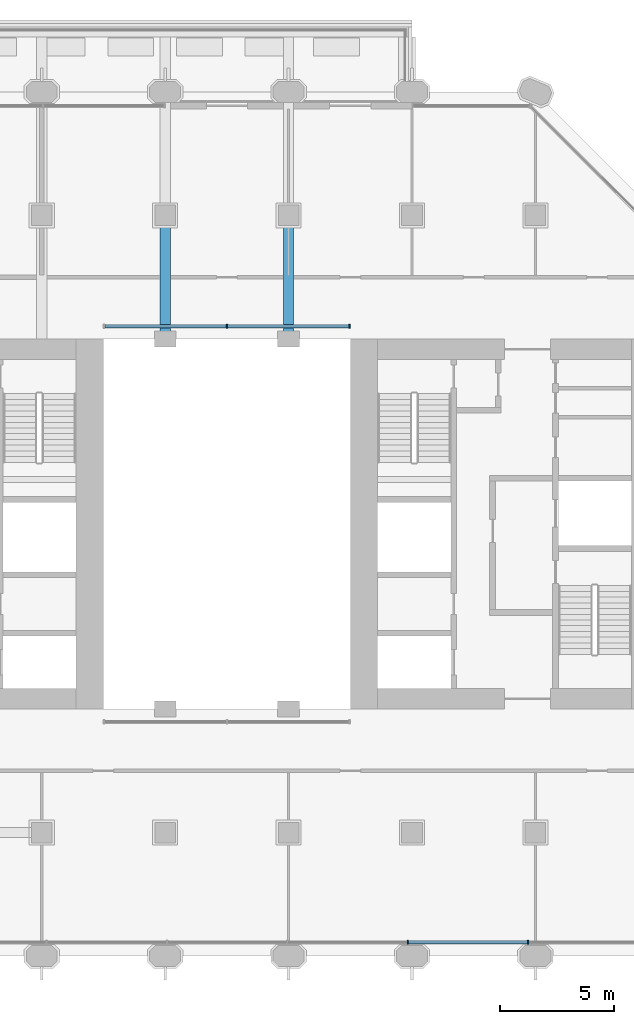
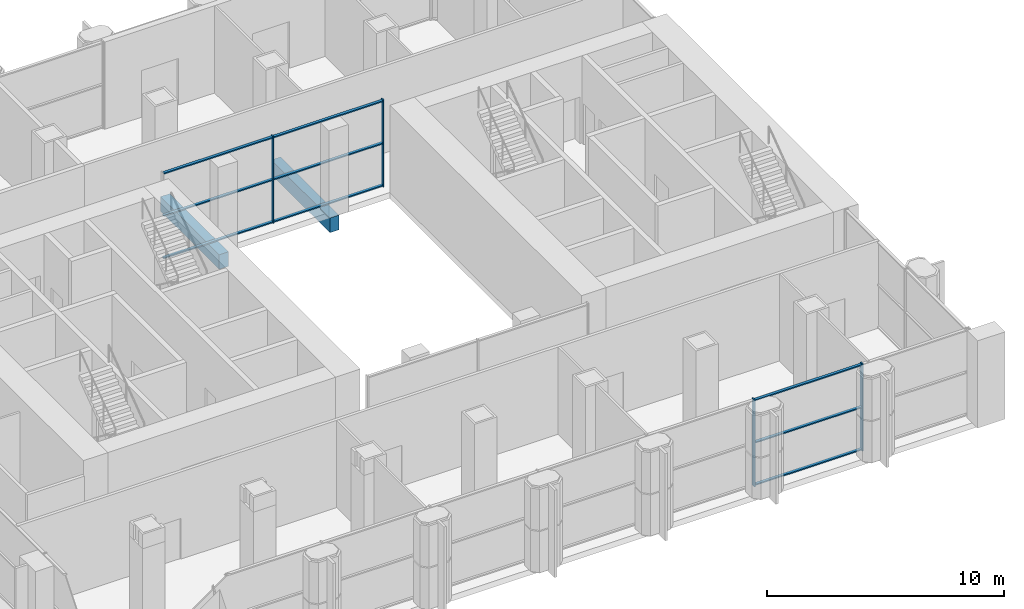
# One storey, part 5 of 15: 13 members, 2 beams, 2 elements without a shape of their own.
"""IFC4 building model written with IfcOpenShell, lengths in metres."""

from ifc_helpers import new_model, si_unit, direction, frame, origin, origin_2d, place, context, subcontext, project, spatial, rectangle, extrude, material, material_profile, profile_set, type_object, element, aggregate, save


model = new_model("IFC4")

# Units and contexts
model_context = context("Model", 3, precision=1e-05, world=origin(), true_north=direction((0.0, 1.0)))
body_context = subcontext(model_context, "Body", "Model", "MODEL_VIEW")
ifc_project = project(units=[si_unit("LENGTHUNIT", "METRE"), si_unit("AREAUNIT", "SQUARE_METRE"), si_unit("VOLUMEUNIT", "CUBIC_METRE"), si_unit("PLANEANGLEUNIT", "RADIAN"), si_unit("MASSUNIT", "GRAM", prefix="KILO")], contexts=[model_context])

# Site, building, storey
site_placement = place(None, origin())
site = spatial("IfcSite", under=ifc_project, at=site_placement, CompositionType="ELEMENT")
building_placement = place(site_placement, origin())
building = spatial("IfcBuilding", under=site, at=building_placement, Name="Tabaq Tower and Sports Hall", CompositionType="ELEMENT")
storey_placement = place(building_placement, frame((0.0, 0.0, 138.39990234375)))
storey = spatial("IfcBuildingStorey", under=building, at=storey_placement, Name="L32", CompositionType="ELEMENT", Elevation=138.39990234375)

# Curtain wall, members
ifc_material_1 = material(Name="Aluminium alloy 6063-T6 framed glazing", Category="aluminium")
curtain_wall_type_1 = type_object("IfcCurtainWallType", Name="CW1 curtain wall", PredefinedType="USERDEFINED", material=ifc_material_1)
curtain_wall_1_placement = place(storey_placement, origin())
curtain_wall_1 = element("IfcCurtainWall", 1, at=curtain_wall_1_placement, inside=storey, type_object=curtain_wall_type_1, Name="Atrium glazing L32 N", ObjectType="ATRIUM ENCLOSURE", PredefinedType="USERDEFINED")
ifc_material_2 = material(Name="Aluminium alloy 6063-T6", Category="aluminium")
ifc_material_profile_1 = material_profile(ifc_material_2, rectangle(XDim=0.159912109375, YDim=0.06005859375, at=origin_2d()), Name="MULLION 160x60")
ifc_profile_set_1 = profile_set([ifc_material_profile_1], Name="Aluminium alloy 6063-T6")
member_type_1 = type_object("IfcMemberType", Name="CW1 mullion 160x60", PredefinedType="MULLION", material=ifc_profile_set_1)
member_1_placement = place(storey_placement, frame((24.300048828125, 32.949951171875, 0.0), z_axis=(0.0, 0.0, 1.0), x_axis=(0.0, 1.0, 0.0)))
member_1 = element("IfcMember", 2, at=member_1_placement, type_object=member_type_1, Name="CW1 mullion 2", PredefinedType="MULLION", context=body_context, shape_type="SweptSolid", body=[
    extrude(rectangle(XDim=0.159912109375, YDim=0.06005859375, at=origin_2d()), origin(), (0.0, 0.0, 1.0), 4.5),
])
member_2_placement = place(storey_placement, frame((29.669921875, 32.949951171875, 0.0), z_axis=(0.0, 0.0, 1.0), x_axis=(0.0, 1.0, 0.0)))
member_2 = element("IfcMember", 3, at=member_2_placement, type_object=member_type_1, Name="CW1 mullion 3", PredefinedType="MULLION", context=body_context, shape_type="SweptSolid", body=[
    extrude(rectangle(XDim=0.159912109375, YDim=0.06005859375, at=origin_2d()), origin(), (0.0, 0.0, 1.0), 4.5),
])
ifc_material_3 = material(Name="Aluminium alloy 6063-T6", Category="aluminium")
ifc_material_profile_2 = material_profile(ifc_material_3, rectangle(XDim=0.139892578125, YDim=0.06005859375, at=origin_2d()), Name="TRANSOM 140x60")
ifc_profile_set_2 = profile_set([ifc_material_profile_2], Name="Aluminium alloy 6063-T6")
member_type_2 = type_object("IfcMemberType", Name="CW1 transom 140x60", PredefinedType="USERDEFINED", material=ifc_profile_set_2)
member_3_placement = place(storey_placement, frame((18.9599609375, 32.949951171875, 0.070068359375), z_axis=(1.0, 0.0, 0.0), x_axis=(0.0, 1.0, 0.0)))
member_3 = element("IfcMember", 4, at=member_3_placement, type_object=member_type_2, Name="CW1 transom 1.1", ObjectType="TRANSOM", PredefinedType="USERDEFINED", context=body_context, shape_type="SweptSolid", body=[
    extrude(rectangle(XDim=0.139892578125, YDim=0.06005859375, at=origin_2d()), origin(), (0.0, 0.0, 1.0), 5.31005859375),
])
member_4_placement = place(storey_placement, frame((18.9599609375, 32.949951171875, 2.25), z_axis=(1.0, 0.0, 0.0), x_axis=(0.0, 1.0, 0.0)))
member_4 = element("IfcMember", 5, at=member_4_placement, type_object=member_type_2, Name="CW1 transom 1.2", ObjectType="TRANSOM", PredefinedType="USERDEFINED", context=body_context, shape_type="SweptSolid", body=[
    extrude(rectangle(XDim=0.139892578125, YDim=0.06005859375, at=origin_2d()), origin(), (0.0, 0.0, 1.0), 5.31005859375),
])
member_5_placement = place(storey_placement, frame((18.9599609375, 32.949951171875, 4.43017578125), z_axis=(1.0, 0.0, 0.0), x_axis=(0.0, 1.0, 0.0)))
member_5 = element("IfcMember", 6, at=member_5_placement, type_object=member_type_2, Name="CW1 transom 1.3", ObjectType="TRANSOM", PredefinedType="USERDEFINED", context=body_context, shape_type="SweptSolid", body=[
    extrude(rectangle(XDim=0.139892578125, YDim=0.06005859375, at=origin_2d()), origin(), (0.0, 0.0, 1.0), 5.31005859375),
])
member_6_placement = place(storey_placement, frame((24.330078125, 32.949951171875, 0.070068359375), z_axis=(1.0, 0.0, 0.0), x_axis=(0.0, 1.0, 0.0)))
member_6 = element("IfcMember", 7, at=member_6_placement, type_object=member_type_2, Name="CW1 transom 2.1", ObjectType="TRANSOM", PredefinedType="USERDEFINED", context=body_context, shape_type="SweptSolid", body=[
    extrude(rectangle(XDim=0.139892578125, YDim=0.06005859375, at=origin_2d()), origin(), (0.0, 0.0, 1.0), 5.309814453125),
])
member_7_placement = place(storey_placement, frame((24.330078125, 32.949951171875, 2.25), z_axis=(1.0, 0.0, 0.0), x_axis=(0.0, 1.0, 0.0)))
member_7 = element("IfcMember", 8, at=member_7_placement, type_object=member_type_2, Name="CW1 transom 2.2", ObjectType="TRANSOM", PredefinedType="USERDEFINED", context=body_context, shape_type="SweptSolid", body=[
    extrude(rectangle(XDim=0.139892578125, YDim=0.06005859375, at=origin_2d()), origin(), (0.0, 0.0, 1.0), 5.309814453125),
])
member_8_placement = place(storey_placement, frame((24.330078125, 32.949951171875, 4.43017578125), z_axis=(1.0, 0.0, 0.0), x_axis=(0.0, 1.0, 0.0)))
member_8 = element("IfcMember", 9, at=member_8_placement, type_object=member_type_2, Name="CW1 transom 2.3", ObjectType="TRANSOM", PredefinedType="USERDEFINED", context=body_context, shape_type="SweptSolid", body=[
    extrude(rectangle(XDim=0.139892578125, YDim=0.06005859375, at=origin_2d()), origin(), (0.0, 0.0, 1.0), 5.309814453125),
])
aggregate(curtain_wall_1, [member_1, member_2, member_3, member_4, member_5, member_6, member_7, member_8])

ifc_material_4 = material(Name="Aluminium alloy 6063-T6 framed glazing", Category="aluminium")
curtain_wall_type_2 = type_object("IfcCurtainWallType", Name="CW3 curtain wall", PredefinedType="USERDEFINED", material=ifc_material_4)
curtain_wall_2_placement = place(storey_placement, origin())
curtain_wall_2 = element("IfcCurtainWall", 10, at=curtain_wall_2_placement, inside=storey, type_object=curtain_wall_type_2, Name="Garden Floor Wall L32 S", ObjectType="GARDEN FLOOR WALL", PredefinedType="USERDEFINED")
ifc_material_5 = material(Name="Aluminium alloy 6063-T6", Category="aluminium")
ifc_material_profile_3 = material_profile(ifc_material_5, rectangle(XDim=0.179931640625, YDim=0.06005859375, at=origin_2d()), Name="MULLION 180x60")
ifc_profile_set_3 = profile_set([ifc_material_profile_3], Name="Aluminium alloy 6063-T6")
member_type_3 = type_object("IfcMemberType", Name="CW3 mullion 180x60", PredefinedType="MULLION", material=ifc_profile_set_3)
member_9_placement = place(storey_placement, frame((32.21240234375, 6.0, 0.0), z_axis=(0.0, 0.0, 1.0), x_axis=(0.0, 1.0, 0.0)))
member_9 = element("IfcMember", 11, at=member_9_placement, type_object=member_type_3, Name="CW3 mullion 7", PredefinedType="MULLION", context=body_context, shape_type="SweptSolid", body=[
    extrude(rectangle(XDim=0.179931640625, YDim=0.06005859375, at=origin_2d()), origin(), (0.0, 0.0, 1.0), 4.5),
])
member_10_placement = place(storey_placement, frame((37.481201171875, 6.0, 0.0), z_axis=(0.0, 0.0, 1.0), x_axis=(0.0, 1.0, 0.0)))
member_10 = element("IfcMember", 12, at=member_10_placement, type_object=member_type_3, Name="CW3 mullion 8", PredefinedType="MULLION", context=body_context, shape_type="SweptSolid", body=[
    extrude(rectangle(XDim=0.179931640625, YDim=0.06005859375, at=origin_2d()), origin(), (0.0, 0.0, 1.0), 4.5),
])
ifc_material_6 = material(Name="Aluminium alloy 6063-T6", Category="aluminium")
ifc_material_profile_4 = material_profile(ifc_material_6, rectangle(XDim=0.139892578125, YDim=0.06005859375, at=origin_2d()), Name="TRANSOM 140x60")
ifc_profile_set_4 = profile_set([ifc_material_profile_4], Name="Aluminium alloy 6063-T6")
member_type_4 = type_object("IfcMemberType", Name="CW3 transom 140x60", PredefinedType="USERDEFINED", material=ifc_profile_set_4)
member_11_placement = place(storey_placement, frame((32.242431640625, 6.0, 0.070068359375), z_axis=(1.0, 0.0, 0.0), x_axis=(0.0, 1.0, 0.0)))
member_11 = element("IfcMember", 13, at=member_11_placement, type_object=member_type_4, Name="CW3 transom 7.1", ObjectType="TRANSOM", PredefinedType="USERDEFINED", context=body_context, shape_type="SweptSolid", body=[
    extrude(rectangle(XDim=0.139892578125, YDim=0.06005859375, at=origin_2d()), origin(), (0.0, 0.0, 1.0), 5.208740234375),
])
member_12_placement = place(storey_placement, frame((32.242431640625, 6.0, 2.25), z_axis=(1.0, 0.0, 0.0), x_axis=(0.0, 1.0, 0.0)))
member_12 = element("IfcMember", 14, at=member_12_placement, type_object=member_type_4, Name="CW3 transom 7.2", ObjectType="TRANSOM", PredefinedType="USERDEFINED", context=body_context, shape_type="SweptSolid", body=[
    extrude(rectangle(XDim=0.139892578125, YDim=0.06005859375, at=origin_2d()), origin(), (0.0, 0.0, 1.0), 5.208740234375),
])
member_13_placement = place(storey_placement, frame((32.242431640625, 6.0, 4.43017578125), z_axis=(1.0, 0.0, 0.0), x_axis=(0.0, 1.0, 0.0)))
member_13 = element("IfcMember", 15, at=member_13_placement, type_object=member_type_4, Name="CW3 transom 7.3", ObjectType="TRANSOM", PredefinedType="USERDEFINED", context=body_context, shape_type="SweptSolid", body=[
    extrude(rectangle(XDim=0.139892578125, YDim=0.06005859375, at=origin_2d()), origin(), (0.0, 0.0, 1.0), 5.208740234375),
])
aggregate(curtain_wall_2, [member_9, member_10, member_11, member_12, member_13])

# Beams
ifc_material_7 = material(Name="Concrete C40/50", Category="concrete")
ifc_material_profile_5 = material_profile(ifc_material_7, rectangle(XDim=0.449951171875, YDim=0.75, at=origin_2d()), Name="CB 450x750")
ifc_profile_set_5 = profile_set([ifc_material_profile_5], Name="Concrete C40/50")
beam_type = type_object("IfcBeamType", Name="PT CANTILEVER BEAM CB 450x750 C40/50", PredefinedType="BEAM", material=ifc_profile_set_5)
for number, where, z_axis, x_axis, name in (
    (16, (27.0, 37.35009765625, -0.6748046875), (0.0, -1.0, 0.0), (1.0, 0.0, 0.0), "Tray Cantilever Beam L32 T1 span 3"),
    (17, (21.60009765625, 37.35009765625, -0.6748046875), (0.0, -1.0, 0.0), (1.0, 0.0, 0.0), "Tray Cantilever Beam L32 T2 span 3"),
):
    element("IfcBeam", number, at=place(storey_placement, frame(where, z_axis=z_axis, x_axis=x_axis)), inside=storey, type_object=beam_type, Name=name, PredefinedType="BEAM", context=body_context, shape_type="SweptSolid", body=[
        extrude(rectangle(XDim=0.449951171875, YDim=0.75, at=origin_2d()), origin(), (0.0, 0.0, 1.0), 4.9501953125),
    ])

save(model, "model.ifc")
